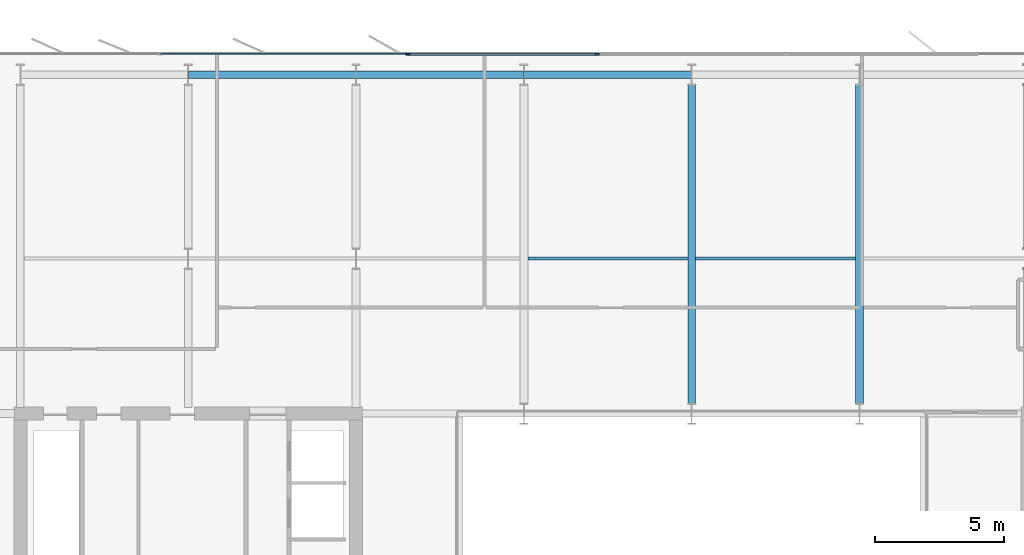
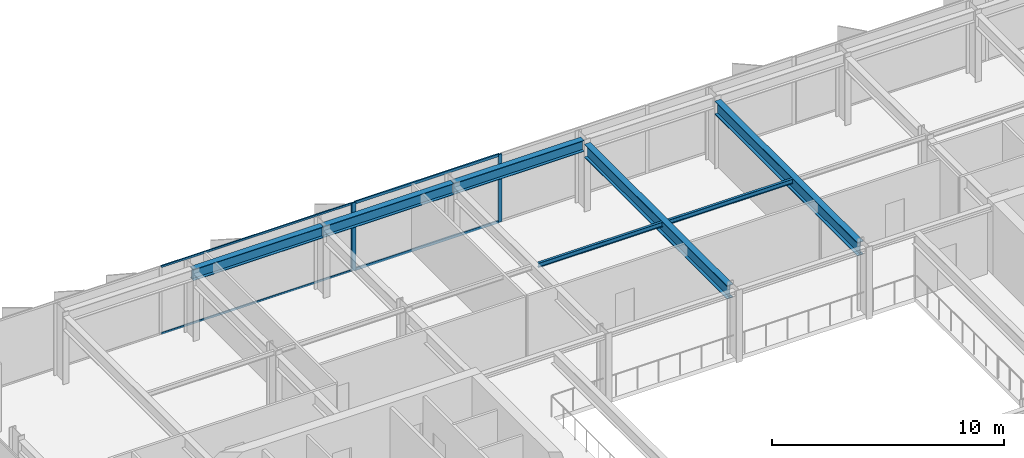
# One storey, part 11 of 23: 7 beams, 7 members, 2 elements without a shape of their own.
"""IFC4 building model written with IfcOpenShell, lengths in metres."""

from ifc_helpers import new_model, si_unit, direction, frame, origin, origin_2d, place, context, subcontext, project, spatial, rectangle, i_section, extrude, material, layer, layer_set, material_profile, profile_set, type_object, element, aggregate, save


model = new_model("IFC4")

# Units and contexts
model_context = context("Model", 3, precision=1e-05, world=origin(), true_north=direction((0.0, 1.0)))
body_context = subcontext(model_context, "Body", "Model", "MODEL_VIEW")
ifc_project = project(units=[si_unit("LENGTHUNIT", "METRE"), si_unit("AREAUNIT", "SQUARE_METRE"), si_unit("VOLUMEUNIT", "CUBIC_METRE"), si_unit("PLANEANGLEUNIT", "RADIAN"), si_unit("MASSUNIT", "GRAM", prefix="KILO")], contexts=[model_context])

# Site, building, storey
site_placement = place(None, origin())
site = spatial("IfcSite", under=ifc_project, at=site_placement, CompositionType="ELEMENT")
building_placement = place(site_placement, origin())
building = spatial("IfcBuilding", under=site, at=building_placement, Name="Putna Gate Headquarters", CompositionType="ELEMENT")
storey_placement = place(building_placement, frame((0.0, 0.0, 210.0)))
storey = spatial("IfcBuildingStorey", under=building, at=storey_placement, Name="L52", CompositionType="ELEMENT", Elevation=210.0)

# Beams
ifc_material_1 = material(Name="Steel S355J2", Category="steel")
ifc_material_profile_1 = material_profile(ifc_material_1, i_section(OverallWidth=0.300048828125, OverallDepth=0.699951171875, WebThickness=0.01708984375, FlangeThickness=0.031982421875, at=origin_2d()), Name="Steel S355J2")
ifc_profile_set_1 = profile_set([ifc_material_profile_1], Name="Steel S355J2")
beam_type_1 = type_object("IfcBeamType", Name="BM-GIRD-B-HEB700", PredefinedType="USERDEFINED", material=ifc_profile_set_1)
for number, where, z_axis, x_axis, name in (
    (1, (39.0, 33.39501953125, 3.22998046875), (0.0, 1.0, 0.0), (-1.0, 0.0, 0.0), "L52 North Primary Girder X39"),
    (2, (45.5, 33.39501953125, 3.22998046875), (0.0, 1.0, 0.0), (-1.0, 0.0, 0.0), "L52 North Primary Girder X45"),
):
    element("IfcBeam", number, at=place(storey_placement, frame(where, z_axis=z_axis, x_axis=x_axis)), inside=storey, type_object=beam_type_1, Name=name, ObjectType="GIRDER", PredefinedType="USERDEFINED", context=body_context, shape_type="SweptSolid", body=[
        extrude(i_section(OverallWidth=0.300048828125, OverallDepth=0.699951171875, WebThickness=0.01708984375, FlangeThickness=0.031982421875, at=origin_2d()), origin(), (0.0, 0.0, 1.0), 12.330078125),
    ])
ifc_material_profile_2 = material_profile(ifc_material_1, i_section(OverallWidth=0.1201171875, OverallDepth=0.239990234375, WebThickness=0.006103515625, FlangeThickness=0.009765625, at=origin_2d()), Name="Steel S355J2")
ifc_profile_set_2 = profile_set([ifc_material_profile_2], Name="Steel S355J2")
beam_type_2 = type_object("IfcBeamType", Name="BM-SEC-Z4-IPE240", PredefinedType="JOIST", material=ifc_profile_set_2)
for number, where, z_axis, x_axis, name in (
    (3, (32.654052734375, 39.0, 3.4599609375), (1.0, 0.0, 0.0), (0.0, 1.0, 0.0), "L52 North Secondary Beam 4"),
    (4, (39.154052734375, 39.0, 3.4599609375), (1.0, 0.0, 0.0), (0.0, 1.0, 0.0), "L52 North Secondary Beam 5"),
):
    element("IfcBeam", number, at=place(storey_placement, frame(where, z_axis=z_axis, x_axis=x_axis)), inside=storey, type_object=beam_type_2, Name=name, PredefinedType="JOIST", context=body_context, shape_type="SweptSolid", body=[
        extrude(i_section(OverallWidth=0.1201171875, OverallDepth=0.239990234375, WebThickness=0.006103515625, FlangeThickness=0.009765625, at=origin_2d()), origin(), (0.0, 0.0, 1.0), 6.19189453125),
    ])
ifc_material_profile_3 = material_profile(ifc_material_1, i_section(OverallWidth=0.300048828125, OverallDepth=0.590087890625, WebThickness=0.012939453125, FlangeThickness=0.02490234375, at=origin_2d()), Name="Steel S355J2")
ifc_profile_set_3 = profile_set([ifc_material_profile_3], Name="Steel S355J2")
beam_type_3 = type_object("IfcBeamType", Name="BM-SPAN-Z4-HEA600", PredefinedType="SPANDREL", material=ifc_profile_set_3)
for number, where, z_axis, x_axis, name in (
    (5, (19.506103515625, 46.1201171875, 3.284912109375), (1.0, 0.0, 0.0), (0.0, 1.0, 0.0), "L52 N Perimeter Spandrel 2"),
    (6, (26.006103515625, 46.1201171875, 3.284912109375), (1.0, 0.0, 0.0), (0.0, 1.0, 0.0), "L52 N Perimeter Spandrel 3"),
    (7, (32.506103515625, 46.1201171875, 3.284912109375), (1.0, 0.0, 0.0), (0.0, 1.0, 0.0), "L52 N Perimeter Spandrel 4"),
):
    element("IfcBeam", number, at=place(storey_placement, frame(where, z_axis=z_axis, x_axis=x_axis)), inside=storey, type_object=beam_type_3, Name=name, PredefinedType="SPANDREL", context=body_context, shape_type="SweptSolid", body=[
        extrude(i_section(OverallWidth=0.300048828125, OverallDepth=0.590087890625, WebThickness=0.012939453125, FlangeThickness=0.02490234375, at=origin_2d()), origin(), (0.0, 0.0, 1.0), 6.48779296875),
    ])

# Curtain wall, member
ifc_material_2 = material(Name="Anodised bronze aluminium curtain wall", Category="aluminium")
ifc_layer_1 = layer(ifc_material_2, 0.139892578125)
ifc_layer_set_1 = layer_set([ifc_layer_1], Name="Anodised bronze aluminium curtain wall")
curtain_wall_type_1 = type_object("IfcCurtainWallType", Name="CW-SYS-Z4", PredefinedType="USERDEFINED", material=ifc_layer_set_1)
curtain_wall_1_placement = place(storey_placement, origin())
curtain_wall_1 = element("IfcCurtainWall", 8, at=curtain_wall_1_placement, inside=storey, type_object=curtain_wall_type_1, Name="L52 North West Curtain Wall", ObjectType="STICK CURTAIN WALL", PredefinedType="USERDEFINED")
ifc_material_3 = material(Name="Anodised bronze aluminium EN AW-6060", Category="aluminium")
ifc_material_profile_4 = material_profile(ifc_material_3, rectangle(XDim=0.06005859375, YDim=0.139892578125, at=origin_2d()), Name="Anodised bronze aluminium EN AW-6060")
ifc_profile_set_4 = profile_set([ifc_material_profile_4], Name="Anodised bronze aluminium EN AW-6060")
member_type_1 = type_object("IfcMemberType", Name="MULL-CWM-4", PredefinedType="MULLION", material=ifc_profile_set_4)
member_1_placement = place(storey_placement, frame((27.969970703125, 46.919921875, 0.0), z_axis=(0.0, 0.0, 1.0), x_axis=(0.0, 1.0, 0.0)))
member_1 = element("IfcMember", 9, at=member_1_placement, type_object=member_type_1, Name="CWS-4 mullion 3", PredefinedType="MULLION", context=body_context, shape_type="SweptSolid", body=[
    extrude(rectangle(XDim=0.06005859375, YDim=0.139892578125, at=origin_2d()), origin(), (0.0, 0.0, 1.0), 3.580078125),
])

# Curtain wall, members
ifc_layer_2 = layer(ifc_material_2, 0.179931640625)
ifc_layer_set_2 = layer_set([ifc_layer_2], Name="Anodised bronze aluminium curtain wall")
curtain_wall_type_2 = type_object("IfcCurtainWallType", Name="CW-SYS-ATR", PredefinedType="USERDEFINED", material=ifc_layer_set_2)
curtain_wall_2_placement = place(storey_placement, origin())
curtain_wall_2 = element("IfcCurtainWall", 10, at=curtain_wall_2_placement, inside=storey, type_object=curtain_wall_type_2, Name="L52 North Atrium Clear Glazing", ObjectType="ATRIUM GLAZING", PredefinedType="USERDEFINED")
ifc_material_profile_5 = material_profile(ifc_material_3, rectangle(XDim=0.070068359375, YDim=0.179931640625, at=origin_2d()), Name="Anodised bronze aluminium EN AW-6060")
ifc_profile_set_5 = profile_set([ifc_material_profile_5], Name="Anodised bronze aluminium EN AW-6060")
member_type_2 = type_object("IfcMemberType", Name="MULL-CWM-AT", PredefinedType="MULLION", material=ifc_profile_set_5)
member_2_placement = place(storey_placement, frame((28.034912109375, 46.919921875, 0.0), z_axis=(0.0, 0.0, 1.0), x_axis=(0.0, 1.0, 0.0)))
member_2 = element("IfcMember", 11, at=member_2_placement, type_object=member_type_2, Name="CWS-AT mullion 1", PredefinedType="MULLION", context=body_context, shape_type="SweptSolid", body=[
    extrude(rectangle(XDim=0.070068359375, YDim=0.179931640625, at=origin_2d()), origin(), (0.0, 0.0, 1.0), 3.580078125),
])
member_3_placement = place(storey_placement, frame((35.333251953125, 46.919921875, 0.0), z_axis=(0.0, 0.0, 1.0), x_axis=(0.0, 1.0, 0.0)))
member_3 = element("IfcMember", 12, at=member_3_placement, type_object=member_type_2, Name="CWS-AT mullion 2", PredefinedType="MULLION", context=body_context, shape_type="SweptSolid", body=[
    extrude(rectangle(XDim=0.070068359375, YDim=0.179931640625, at=origin_2d()), origin(), (0.0, 0.0, 1.0), 3.580078125),
])

# Member
ifc_material_profile_6 = material_profile(ifc_material_3, rectangle(XDim=0.06005859375, YDim=0.10009765625, at=origin_2d()), Name="Anodised bronze aluminium EN AW-6060")
ifc_profile_set_6 = profile_set([ifc_material_profile_6], Name="Anodised bronze aluminium EN AW-6060")
member_type_3 = type_object("IfcMemberType", Name="TRAN-CWT-4", PredefinedType="USERDEFINED", material=ifc_profile_set_6)
member_4_placement = place(storey_placement, frame((18.429931640625, 46.919921875, 0.030029296875), z_axis=(1.0, 0.0, 0.0), x_axis=(0.0, 1.0, 0.0)))
member_4 = element("IfcMember", 13, at=member_4_placement, type_object=member_type_3, Name="CWS-4 transom 2.1", ObjectType="TRANSOM", PredefinedType="USERDEFINED", context=body_context, shape_type="SweptSolid", body=[
    extrude(rectangle(XDim=0.06005859375, YDim=0.10009765625, at=origin_2d()), origin(), (0.0, 0.0, 1.0), 9.510009765625),
])

member_5_placement = place(storey_placement, frame((18.429931640625, 46.919921875, 3.550048828125), z_axis=(1.0, 0.0, 0.0), x_axis=(0.0, 1.0, 0.0)))
member_5 = element("IfcMember", 14, at=member_5_placement, type_object=member_type_3, Name="CWS-4 transom 2.2", ObjectType="TRANSOM", PredefinedType="USERDEFINED", context=body_context, shape_type="SweptSolid", body=[
    extrude(rectangle(XDim=0.06005859375, YDim=0.10009765625, at=origin_2d()), origin(), (0.0, 0.0, 1.0), 9.510009765625),
])

aggregate(curtain_wall_1, [member_1, member_4, member_5])

ifc_material_profile_7 = material_profile(ifc_material_3, rectangle(XDim=0.070068359375, YDim=0.139892578125, at=origin_2d()), Name="Anodised bronze aluminium EN AW-6060")
ifc_profile_set_7 = profile_set([ifc_material_profile_7], Name="Anodised bronze aluminium EN AW-6060")
member_type_4 = type_object("IfcMemberType", Name="TRAN-CWT-AT", PredefinedType="USERDEFINED", material=ifc_profile_set_7)
member_6_placement = place(storey_placement, frame((28.070068359375, 46.919921875, 0.034912109375), z_axis=(1.0, 0.0, 0.0), x_axis=(0.0, 1.0, 0.0)))
member_6 = element("IfcMember", 15, at=member_6_placement, type_object=member_type_4, Name="CWS-AT transom 1.1", ObjectType="TRANSOM", PredefinedType="USERDEFINED", context=body_context, shape_type="SweptSolid", body=[
    extrude(rectangle(XDim=0.070068359375, YDim=0.139892578125, at=origin_2d()), origin(), (0.0, 0.0, 1.0), 7.228271484375),
])

member_7_placement = place(storey_placement, frame((28.070068359375, 46.919921875, 3.544921875), z_axis=(1.0, 0.0, 0.0), x_axis=(0.0, 1.0, 0.0)))
member_7 = element("IfcMember", 16, at=member_7_placement, type_object=member_type_4, Name="CWS-AT transom 1.2", ObjectType="TRANSOM", PredefinedType="USERDEFINED", context=body_context, shape_type="SweptSolid", body=[
    extrude(rectangle(XDim=0.070068359375, YDim=0.139892578125, at=origin_2d()), origin(), (0.0, 0.0, 1.0), 7.228271484375),
])

aggregate(curtain_wall_2, [member_2, member_3, member_6, member_7])

save(model, "model.ifc")
